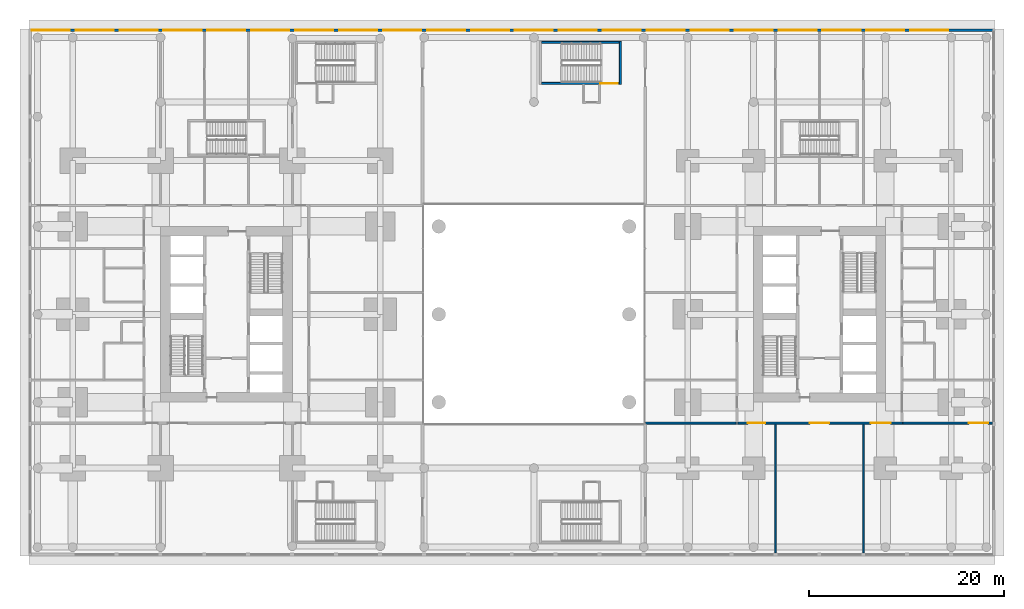
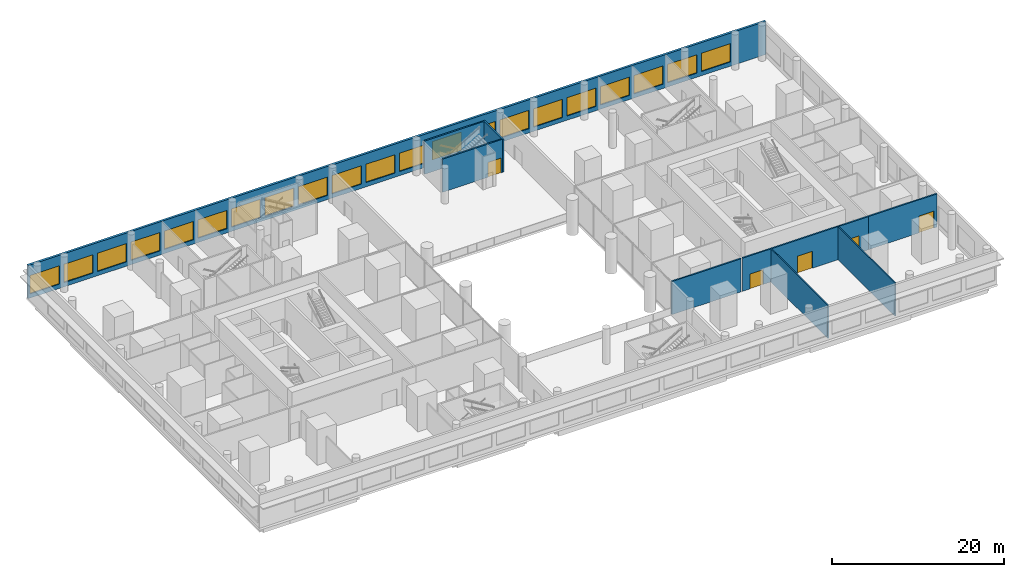
# One storey, part 14 of 21: 21 windows, 9 walls, 5 doors, 26 openings.
"""IFC4 building model written with IfcOpenShell, lengths in metres."""

import ifcopenshell
import ifcopenshell.guid

model = None  # the IFC model being written
_history = None  # IfcOwnerHistory: only IFC2X3 demands one
_inside = {}  # id of a spatial element -> (the spatial element, [elements in it])
_under = {}  # id of a project, library or spatial element -> (it, [spatial elements below it])
_declared = {}  # id of a project -> (the project, [libraries it declares])
_typed = {}  # id of a type object -> (the type object, [elements of that type])
_made_of = {}  # id of a material, layer set ... -> (it, [elements and type objects made of it])


def new_model(schema):
    """Start an empty IFC model of exactly this schema.

    Asked for "IFC4X3", IfcOpenShell would pick the latest addendum, in which some entities
    have other attributes; the version numbers below select the first issue.
    IFC2X3 requires an IfcOwnerHistory on every rooted entity: one is made here for all.
    """
    global model, _history
    if schema == "IFC4X3":
        model = ifcopenshell.file(schema_version=(4, 3, 0, 0))
    else:
        model = ifcopenshell.file(schema=schema)
    _inside.clear()
    _under.clear()
    _declared.clear()
    _typed.clear()
    _made_of.clear()
    _history = None
    if model.schema == "IFC2X3":
        org = make("IfcOrganization", Name="unknown")
        user = make(
            "IfcPersonAndOrganization",
            ThePerson=make("IfcPerson", FamilyName="unknown"),
            TheOrganization=org,
        )
        app = make(
            "IfcApplication",
            ApplicationDeveloper=org,
            Version="unknown",
            ApplicationFullName="unknown",
            ApplicationIdentifier="unknown",
        )
        _history = make(
            "IfcOwnerHistory",
            OwningUser=user,
            OwningApplication=app,
            ChangeAction="ADDED",
            CreationDate=0,
        )
    return model


def make(cls, **values):
    """One entity of the class cls with the attributes given. An attribute that is None is left unset."""
    return model.create_entity(
        cls, **{name: value for name, value in values.items() if value is not None}
    )


def rooted(cls, **values):
    """An entity with a GlobalId (a new one), such as an element, a storey or a relation."""
    return make(cls, GlobalId=ifcopenshell.guid.new(), OwnerHistory=_history, **values)


def si_unit(unit_type, name, prefix=None):
    """IfcSIUnit, for example si_unit("LENGTHUNIT", "METRE", prefix="MILLI")."""
    return make("IfcSIUnit", UnitType=unit_type, Prefix=prefix, Name=name)


def assignment(units):
    """IfcUnitAssignment: the units of a project."""
    return None if units is None else make("IfcUnitAssignment", Units=units)


def point(xyz):
    """IfcCartesianPoint."""
    return None if xyz is None else make("IfcCartesianPoint", Coordinates=xyz)


def direction(xyz):
    """IfcDirection."""
    return None if xyz is None else make("IfcDirection", DirectionRatios=xyz)


def frame(location, z_axis=None, x_axis=None):
    """IfcAxis2Placement3D, a coordinate frame: its origin and axes. An axis left out is left unset."""
    return make(
        "IfcAxis2Placement3D",
        Location=point(location),
        Axis=direction(z_axis),
        RefDirection=direction(x_axis),
    )


def frame_2d(location, x_axis=None):
    """IfcAxis2Placement2D, a coordinate frame in the plane: its origin and x axis."""
    return make(
        "IfcAxis2Placement2D", Location=point(location), RefDirection=direction(x_axis)
    )


def origin():
    """The frame at (0, 0, 0) with its axes left unset."""
    return frame((0.0, 0.0, 0.0))


def place(relative_to, where):
    """IfcLocalPlacement: puts the frame where relative to a parent placement (None: the world)."""
    return make(
        "IfcLocalPlacement", PlacementRelTo=relative_to, RelativePlacement=where
    )


def context(
    kind, dimensions, precision=None, world=None, true_north=None, identifier=None
):
    """IfcGeometricRepresentationContext, for example the 3D "Model" context."""
    return make(
        "IfcGeometricRepresentationContext",
        ContextIdentifier=identifier,
        ContextType=kind,
        CoordinateSpaceDimension=dimensions,
        Precision=precision,
        WorldCoordinateSystem=world,
        TrueNorth=true_north,
    )


def subcontext(parent, identifier, kind, view, scale=None):
    """IfcGeometricRepresentationSubContext, for example "Body" below "Model"."""
    return make(
        "IfcGeometricRepresentationSubContext",
        ContextIdentifier=identifier,
        ContextType=kind,
        ParentContext=parent,
        TargetScale=scale,
        TargetView=view,
    )


def project(units=None, contexts=None):
    """IfcProject with its units and contexts."""
    return rooted(
        "IfcProject",
        Name="project",
        RepresentationContexts=contexts,
        UnitsInContext=assignment(units),
    )


def spatial(cls, under=None, at=None, **own):
    """A site, building, storey or space (cls), placed at a placement, below another one or the project."""
    s = rooted(cls, ObjectPlacement=at, **own)
    if under is not None:
        _under.setdefault(under.id(), (under, []))[1].append(s)
    return s


def profile(cls, at=None, kind="AREA", **sizes):
    """A parametric profile (cls). Its sizes go by their IFC names, for example OverallWidth=200.0."""
    return make(cls, ProfileType=kind, Position=at, **sizes)


def rectangle(**sizes):
    """IfcRectangleProfileDef."""
    return profile("IfcRectangleProfileDef", **sizes)


def extrude(swept, where, along, depth):
    """IfcExtrudedAreaSolid: the profile swept, set in the frame where, extruded along a direction by depth."""
    return make(
        "IfcExtrudedAreaSolid",
        SweptArea=swept,
        Position=where,
        ExtrudedDirection=direction(along),
        Depth=depth,
    )


def shape(context_of_items, identifier, shape_type, items):
    """IfcShapeRepresentation: the items that make up one representation, for example the "Body"."""
    return make(
        "IfcShapeRepresentation",
        ContextOfItems=context_of_items,
        RepresentationIdentifier=identifier,
        RepresentationType=shape_type,
        Items=items,
    )


def material(Name=None, Category=None):
    """IfcMaterial."""
    return make("IfcMaterial", Name=Name, Category=Category)


def layer(
    of_material, thickness, ventilated=None, Name=None, Category=None, Priority=None
):
    """IfcMaterialLayer: one layer of a wall or slab, of a material (None: an air gap)."""
    return make(
        "IfcMaterialLayer",
        Material=of_material,
        LayerThickness=thickness,
        IsVentilated=ventilated,
        Name=Name,
        Category=Category,
        Priority=Priority,
    )


def layer_set(layers, Name=None):
    """IfcMaterialLayerSet."""
    return make("IfcMaterialLayerSet", MaterialLayers=layers, LayerSetName=Name)


def made_of(thing, what):
    """Note that an element or type object is made of a material, layer set ...; save() writes the relation."""
    if what is not None:
        _made_of.setdefault(what.id(), (what, []))[1].append(thing)
    return thing


def type_object(cls, material=None, **own):
    """A type object (cls), such as IfcWallType, which elements share."""
    return made_of(rooted(cls, **own), material)


def element(
    cls,
    number,
    at=None,
    inside=None,
    cuts=None,
    type_object=None,
    material=None,
    context=None,
    identifier="Body",
    shape_type=None,
    held_by="IfcProductDefinitionShape",
    body=None,
    shapes=None,
    **own,
):
    """One element of the class cls, such as IfcWall. Its Tag is "e" and its number.

    at: its placement. inside: the storey or other place that contains it. cuts: it is an
    opening in that element (IfcRelVoidsElement). A single representation is given by context,
    identifier, shape_type and body (its items); several are given by shapes. held_by: the class
    of the entity that holds the representations. save() writes the other relations.
    """
    e = rooted(cls, Tag="e%d" % number, ObjectPlacement=at, **own)
    if body is not None:
        shapes = [shape(context, identifier, shape_type, body)]
    if shapes is not None:
        e.Representation = make(held_by, Representations=shapes)
    if inside is not None:
        _inside.setdefault(inside.id(), (inside, []))[1].append(e)
    if cuts is not None:
        rooted(
            "IfcRelVoidsElement", RelatingBuildingElement=cuts, RelatedOpeningElement=e
        )
    if type_object is not None:
        _typed.setdefault(type_object.id(), (type_object, []))[1].append(e)
    return made_of(e, material)


def fill(opening, filler):
    """IfcRelFillsElement: the door or window that sits in an opening."""
    return rooted(
        "IfcRelFillsElement",
        RelatingOpeningElement=opening,
        RelatedBuildingElement=filler,
    )


def aggregate(whole, parts):
    """IfcRelAggregates: a whole, such as a stair, and the parts it consists of."""
    return rooted("IfcRelAggregates", RelatingObject=whole, RelatedObjects=parts)


def save(model, path):
    """Write the relations noted so far, then the file.

    IfcRelAggregates (storeys below a building ...), IfcRelContainedInSpatialStructure (elements
    in a storey), IfcRelDefinesByType, IfcRelAssociatesMaterial and IfcRelDeclares: one each for
    every whole, place, type object, material and project.
    """
    for whole, parts in _under.values():
        aggregate(whole, parts)
    for where, things in _inside.values():
        rooted(
            "IfcRelContainedInSpatialStructure",
            RelatedElements=things,
            RelatingStructure=where,
        )
    for kind, things in _typed.values():
        rooted("IfcRelDefinesByType", RelatedObjects=things, RelatingType=kind)
    for what, things in _made_of.values():
        rooted("IfcRelAssociatesMaterial", RelatedObjects=things, RelatingMaterial=what)
    for by, libraries in _declared.values():
        rooted("IfcRelDeclares", RelatingContext=by, RelatedDefinitions=libraries)
    model.write(path)


model = new_model("IFC4")

# Units and contexts
model_context = context("Model", 3, precision=1e-05, world=origin(), true_north=direction((0.0, 1.0)))
body_context = subcontext(model_context, "Body", "Model", "MODEL_VIEW")
ifc_project = project(units=[si_unit("LENGTHUNIT", "METRE"), si_unit("AREAUNIT", "SQUARE_METRE"), si_unit("VOLUMEUNIT", "CUBIC_METRE"), si_unit("PLANEANGLEUNIT", "RADIAN"), si_unit("MASSUNIT", "GRAM", prefix="KILO")], contexts=[model_context])

# Site, building, storey
site_placement = place(None, origin())
site = spatial("IfcSite", under=ifc_project, at=site_placement, CompositionType="ELEMENT")
building_placement = place(site_placement, origin())
building = spatial("IfcBuilding", under=site, at=building_placement, Name="Namib Vertical Campus", CompositionType="ELEMENT")
storey_placement = place(building_placement, frame((0.0, 0.0, 6.0)))
storey = spatial("IfcBuildingStorey", under=building, at=storey_placement, Name="L01", CompositionType="ELEMENT", Elevation=6.0)

# Wall, openings, doors
ifc_material_1 = material(Name="Concrete masonry", Category="masonry")
ifc_layer_1 = layer(ifc_material_1, 0.199951171875)
ifc_layer_set_1 = layer_set([ifc_layer_1], Name="Corridor wall 200")
wall_type_1 = type_object("IfcWallType", Name="Corridor wall 200", PredefinedType="SOLIDWALL", material=ifc_layer_set_1)
wall_1_placement = place(storey_placement, frame((72.64990234375, 9.10009765625, 0.0), z_axis=(0.0, 0.0, 1.0), x_axis=(1.0, 0.0, 0.0)))
wall_1 = element("IfcWall", 1, at=wall_1_placement, inside=storey, type_object=wall_type_1, Name="Corridor wall B L01 CS", PredefinedType="SOLIDWALL", context=body_context, shape_type="SweptSolid", body=[
    extrude(rectangle(XDim=16.900146484375, YDim=0.199951171875, at=frame_2d((8.4501953125, 0.0))), origin(), (0.0, 0.0, 1.0), 4.699951171875),
])
opening_1_placement = place(wall_1_placement, frame((0.97509765625, 0.0, 0.0)))
opening_1 = element("IfcOpeningElement", 2, at=opening_1_placement, cuts=wall_1, Name="Opening CD2", PredefinedType="OPENING", context=body_context, shape_type="SweptSolid", body=[
    extrude(rectangle(XDim=1.800048828125, YDim=2.10009765625, at=frame_2d((0.89990234375, 1.050048828125))), frame((0.0, 0.10986328125, 0.0), z_axis=(0.0, -1.0, 0.0), x_axis=(1.0, 0.0, 0.0)), (0.0, 0.0, 1.0), 0.219970703125),
])
opening_2_placement = place(wall_1_placement, frame((7.35009765625, 0.0, 0.0)))
opening_2 = element("IfcOpeningElement", 3, at=opening_2_placement, cuts=wall_1, Name="Opening AD1", PredefinedType="OPENING", context=body_context, shape_type="SweptSolid", body=[
    extrude(rectangle(XDim=2.0, YDim=2.39990234375, at=frame_2d((1.0, 1.199951171875))), frame((0.0, 0.10986328125, 0.0), z_axis=(0.0, -1.0, 0.0), x_axis=(1.0, 0.0, 0.0)), (0.0, 0.0, 1.0), 0.219970703125),
])
opening_3_placement = place(wall_1_placement, frame((13.625, 0.0, 0.0)))
opening_3 = element("IfcOpeningElement", 4, at=opening_3_placement, cuts=wall_1, Name="Opening AD1", PredefinedType="OPENING", context=body_context, shape_type="SweptSolid", body=[
    extrude(rectangle(XDim=2.0, YDim=2.39990234375, at=frame_2d((1.0, 1.199951171875))), frame((0.0, 0.10986328125, 0.0), z_axis=(0.0, -1.0, 0.0), x_axis=(1.0, 0.0, 0.0)), (0.0, 0.0, 1.0), 0.219970703125),
])
ifc_material_2 = material(Name="Timber fire door leaf", Category="wood")
door_type_1 = type_object("IfcDoorType", Name="Corridor door double 1800x2100 20 min", OperationType="DOUBLE_DOOR_SINGLE_SWING", PredefinedType="DOOR", material=ifc_material_2)
door_1_placement = place(opening_1_placement, origin())
door_1 = element("IfcDoor", 5, at=door_1_placement, inside=storey, type_object=door_type_1, Name="Door CD2 B01-01", OperationType="DOUBLE_DOOR_SINGLE_SWING", OverallHeight=2.10009765625, OverallWidth=1.800048828125, PredefinedType="DOOR", context=body_context, shape_type="SweptSolid", body=[
    extrude(rectangle(XDim=1.800048828125, YDim=2.10009765625, at=frame_2d((0.89990234375, 1.050048828125))), frame((0.0, 0.02490234375, 0.0), z_axis=(0.0, -1.0, 0.0), x_axis=(1.0, 0.0, 0.0)), (0.0, 0.0, 1.0), 0.050048828125),
])
fill(opening_1, door_1)
ifc_material_3 = material(Name="Timber acoustic fire door leaf", Category="wood")
door_type_2 = type_object("IfcDoorType", Name="Lecture theatre door pair 2000x2400 acoustic", OperationType="DOUBLE_DOOR_SINGLE_SWING", PredefinedType="DOOR", material=ifc_material_3)
door_2_placement = place(opening_2_placement, frame((2.0, 0.0, 0.0), z_axis=(0.0, 0.0, 1.0), x_axis=(-1.0, 0.0, 0.0)))
door_2 = element("IfcDoor", 6, at=door_2_placement, inside=storey, type_object=door_type_2, Name="Door AD1 B01-02", OperationType="DOUBLE_DOOR_SINGLE_SWING", OverallHeight=2.39990234375, OverallWidth=2.0, PredefinedType="DOOR", context=body_context, shape_type="SweptSolid", body=[
    extrude(rectangle(XDim=2.0, YDim=2.39990234375, at=frame_2d((1.0, 1.199951171875))), frame((0.0, 0.02490234375, 0.0), z_axis=(0.0, -1.0, 0.0), x_axis=(1.0, 0.0, 0.0)), (0.0, 0.0, 1.0), 0.050048828125),
])
fill(opening_2, door_2)
door_3_placement = place(opening_3_placement, origin())
door_3 = element("IfcDoor", 7, at=door_3_placement, inside=storey, type_object=door_type_2, Name="Door AD1 B01-03", OperationType="DOUBLE_DOOR_SINGLE_SWING", OverallHeight=2.39990234375, OverallWidth=2.0, PredefinedType="DOOR", context=body_context, shape_type="SweptSolid", body=[
    extrude(rectangle(XDim=2.0, YDim=2.39990234375, at=frame_2d((1.0, 1.199951171875))), frame((0.0, 0.02490234375, 0.0), z_axis=(0.0, -1.0, 0.0), x_axis=(1.0, 0.0, 0.0)), (0.0, 0.0, 1.0), 0.050048828125),
])
fill(opening_3, door_3)

# Wall
wall_2_placement = place(storey_placement, frame((63.179931640625, 9.10009765625, 0.0), z_axis=(0.0, 0.0, 1.0), x_axis=(1.0, 0.0, 0.0)))
element("IfcWall", 8, at=wall_2_placement, inside=storey, type_object=wall_type_1, Name="Partition B L01 BSW", PredefinedType="SOLIDWALL", context=body_context, shape_type="SweptSolid", body=[
    extrude(rectangle(XDim=9.27001953125, YDim=0.199951171875, at=frame_2d((4.635009765625, 0.0))), origin(), (0.0, 0.0, 1.0), 4.699951171875),
])

# Wall, opening, door
wall_3_placement = place(storey_placement, frame((89.550048828125, 9.10009765625, 0.0), z_axis=(0.0, 0.0, 1.0), x_axis=(1.0, 0.0, 0.0)))
wall_3 = element("IfcWall", 9, at=wall_3_placement, inside=storey, type_object=wall_type_1, Name="Partition B L01 BSE", PredefinedType="SOLIDWALL", context=body_context, shape_type="SweptSolid", body=[
    extrude(rectangle(XDim=9.14990234375, YDim=0.199951171875, at=frame_2d((4.574951171875, 0.0))), origin(), (0.0, 0.0, 1.0), 4.699951171875),
])
opening_4_placement = place(wall_3_placement, frame((6.75, 0.0, 0.0)))
opening_4 = element("IfcOpeningElement", 10, at=opening_4_placement, cuts=wall_3, Name="Opening AD1", PredefinedType="OPENING", context=body_context, shape_type="SweptSolid", body=[
    extrude(rectangle(XDim=2.0, YDim=2.39990234375, at=frame_2d((1.0, 1.199951171875))), frame((0.0, 0.10986328125, 0.0), z_axis=(0.0, -1.0, 0.0), x_axis=(1.0, 0.0, 0.0)), (0.0, 0.0, 1.0), 0.219970703125),
])
door_4_placement = place(opening_4_placement, origin())
door_4 = element("IfcDoor", 11, at=door_4_placement, inside=storey, type_object=door_type_2, Name="Door AD1 B01-03 to the foyer", OperationType="DOUBLE_DOOR_SINGLE_SWING", OverallHeight=2.39990234375, OverallWidth=2.0, PredefinedType="DOOR", context=body_context, shape_type="SweptSolid", body=[
    extrude(rectangle(XDim=2.0, YDim=2.39990234375, at=frame_2d((1.0, 1.199951171875))), frame((0.0, 0.02490234375, 0.0), z_axis=(0.0, -1.0, 0.0), x_axis=(1.0, 0.0, 0.0)), (0.0, 0.0, 1.0), 0.050048828125),
])
fill(opening_4, door_4)

# Wall, openings, windows
ifc_material_4 = material(Name="Concrete C40/50", Category="concrete")
ifc_layer_2 = layer(ifc_material_4, 0.300048828125)
ifc_layer_set_2 = layer_set([ifc_layer_2], Name="Concrete C40/50")
wall_type_2 = type_object("IfcWallType", Name="External wall 300 board-marked concrete", PredefinedType="STANDARD", material=ifc_layer_set_2)
wall_4_placement = place(storey_placement, frame((98.97998046875, 49.35009765625, 0.0), z_axis=(0.0, 0.0, 1.0), x_axis=(-1.0, 0.0, 0.0)))
wall_4 = element("IfcWall", 12, at=wall_4_placement, inside=storey, type_object=wall_type_2, Name="External wall L01 F3", PredefinedType="STANDARD", context=body_context, shape_type="SweptSolid", body=[
    extrude(rectangle(XDim=98.9599609375, YDim=0.300048828125, at=frame_2d((49.47998046875, 0.0))), origin(), (0.0, 0.0, 1.0), 4.699951171875),
])
opening_5_placement = place(wall_4_placement, frame((94.780029296875, 0.0, 0.60009765625)))
opening_5 = element("IfcOpeningElement", 13, at=opening_5_placement, cuts=wall_4, Name="Opening W2", PredefinedType="OPENING", context=body_context, shape_type="SweptSolid", body=[
    extrude(rectangle(XDim=3.89990234375, YDim=2.60009765625, at=frame_2d((1.949951171875, 1.300048828125))), frame((0.0, 0.159912109375, 0.0), z_axis=(0.0, -1.0, 0.0), x_axis=(1.0, 0.0, 0.0)), (0.0, 0.0, 1.0), 0.320068359375),
])
opening_6_placement = place(wall_4_placement, frame((90.280029296875, 0.0, 0.60009765625)))
opening_6 = element("IfcOpeningElement", 14, at=opening_6_placement, cuts=wall_4, Name="Opening W2", PredefinedType="OPENING", context=body_context, shape_type="SweptSolid", body=[
    extrude(rectangle(XDim=3.89990234375, YDim=2.60009765625, at=frame_2d((1.949951171875, 1.300048828125))), frame((0.0, 0.159912109375, 0.0), z_axis=(0.0, -1.0, 0.0), x_axis=(1.0, 0.0, 0.0)), (0.0, 0.0, 1.0), 0.320068359375),
])
opening_7_placement = place(wall_4_placement, frame((85.780029296875, 0.0, 0.60009765625)))
opening_7 = element("IfcOpeningElement", 15, at=opening_7_placement, cuts=wall_4, Name="Opening W2", PredefinedType="OPENING", context=body_context, shape_type="SweptSolid", body=[
    extrude(rectangle(XDim=3.89990234375, YDim=2.60009765625, at=frame_2d((1.949951171875, 1.300048828125))), frame((0.0, 0.159912109375, 0.0), z_axis=(0.0, -1.0, 0.0), x_axis=(1.0, 0.0, 0.0)), (0.0, 0.0, 1.0), 0.320068359375),
])
opening_8_placement = place(wall_4_placement, frame((81.280029296875, 0.0, 0.60009765625)))
opening_8 = element("IfcOpeningElement", 16, at=opening_8_placement, cuts=wall_4, Name="Opening W2", PredefinedType="OPENING", context=body_context, shape_type="SweptSolid", body=[
    extrude(rectangle(XDim=3.89990234375, YDim=2.60009765625, at=frame_2d((1.949951171875, 1.300048828125))), frame((0.0, 0.159912109375, 0.0), z_axis=(0.0, -1.0, 0.0), x_axis=(1.0, 0.0, 0.0)), (0.0, 0.0, 1.0), 0.320068359375),
])
opening_9_placement = place(wall_4_placement, frame((76.780029296875, 0.0, 0.60009765625)))
opening_9 = element("IfcOpeningElement", 17, at=opening_9_placement, cuts=wall_4, Name="Opening W2", PredefinedType="OPENING", context=body_context, shape_type="SweptSolid", body=[
    extrude(rectangle(XDim=3.89990234375, YDim=2.60009765625, at=frame_2d((1.949951171875, 1.300048828125))), frame((0.0, 0.159912109375, 0.0), z_axis=(0.0, -1.0, 0.0), x_axis=(1.0, 0.0, 0.0)), (0.0, 0.0, 1.0), 0.320068359375),
])
opening_10_placement = place(wall_4_placement, frame((72.280029296875, 0.0, 0.60009765625)))
opening_10 = element("IfcOpeningElement", 18, at=opening_10_placement, cuts=wall_4, Name="Opening W2", PredefinedType="OPENING", context=body_context, shape_type="SweptSolid", body=[
    extrude(rectangle(XDim=3.89990234375, YDim=2.60009765625, at=frame_2d((1.949951171875, 1.300048828125))), frame((0.0, 0.159912109375, 0.0), z_axis=(0.0, -1.0, 0.0), x_axis=(1.0, 0.0, 0.0)), (0.0, 0.0, 1.0), 0.320068359375),
])
opening_11_placement = place(wall_4_placement, frame((67.780029296875, 0.0, 0.60009765625)))
opening_11 = element("IfcOpeningElement", 19, at=opening_11_placement, cuts=wall_4, Name="Opening W2", PredefinedType="OPENING", context=body_context, shape_type="SweptSolid", body=[
    extrude(rectangle(XDim=3.89990234375, YDim=2.60009765625, at=frame_2d((1.949951171875, 1.300048828125))), frame((0.0, 0.159912109375, 0.0), z_axis=(0.0, -1.0, 0.0), x_axis=(1.0, 0.0, 0.0)), (0.0, 0.0, 1.0), 0.320068359375),
])
opening_12_placement = place(wall_4_placement, frame((63.280029296875, 0.0, 0.60009765625)))
opening_12 = element("IfcOpeningElement", 20, at=opening_12_placement, cuts=wall_4, Name="Opening W2", PredefinedType="OPENING", context=body_context, shape_type="SweptSolid", body=[
    extrude(rectangle(XDim=3.89990234375, YDim=2.60009765625, at=frame_2d((1.949951171875, 1.300048828125))), frame((0.0, 0.159912109375, 0.0), z_axis=(0.0, -1.0, 0.0), x_axis=(1.0, 0.0, 0.0)), (0.0, 0.0, 1.0), 0.320068359375),
])
opening_13_placement = place(wall_4_placement, frame((58.780029296875, 0.0, 0.60009765625)))
opening_13 = element("IfcOpeningElement", 21, at=opening_13_placement, cuts=wall_4, Name="Opening W2", PredefinedType="OPENING", context=body_context, shape_type="SweptSolid", body=[
    extrude(rectangle(XDim=3.89990234375, YDim=2.60009765625, at=frame_2d((1.949951171875, 1.300048828125))), frame((0.0, 0.159912109375, 0.0), z_axis=(0.0, -1.0, 0.0), x_axis=(1.0, 0.0, 0.0)), (0.0, 0.0, 1.0), 0.320068359375),
])
opening_14_placement = place(wall_4_placement, frame((54.280029296875, 0.0, 0.60009765625)))
opening_14 = element("IfcOpeningElement", 22, at=opening_14_placement, cuts=wall_4, Name="Opening W2", PredefinedType="OPENING", context=body_context, shape_type="SweptSolid", body=[
    extrude(rectangle(XDim=3.89990234375, YDim=2.60009765625, at=frame_2d((1.949951171875, 1.300048828125))), frame((0.0, 0.159912109375, 0.0), z_axis=(0.0, -1.0, 0.0), x_axis=(1.0, 0.0, 0.0)), (0.0, 0.0, 1.0), 0.320068359375),
])
opening_15_placement = place(wall_4_placement, frame((49.780029296875, 0.0, 0.60009765625)))
opening_15 = element("IfcOpeningElement", 23, at=opening_15_placement, cuts=wall_4, Name="Opening W2", PredefinedType="OPENING", context=body_context, shape_type="SweptSolid", body=[
    extrude(rectangle(XDim=3.89990234375, YDim=2.60009765625, at=frame_2d((1.949951171875, 1.300048828125))), frame((0.0, 0.159912109375, 0.0), z_axis=(0.0, -1.0, 0.0), x_axis=(1.0, 0.0, 0.0)), (0.0, 0.0, 1.0), 0.320068359375),
])
opening_16_placement = place(wall_4_placement, frame((45.280029296875, 0.0, 0.60009765625)))
opening_16 = element("IfcOpeningElement", 24, at=opening_16_placement, cuts=wall_4, Name="Opening W2", PredefinedType="OPENING", context=body_context, shape_type="SweptSolid", body=[
    extrude(rectangle(XDim=3.89990234375, YDim=2.60009765625, at=frame_2d((1.949951171875, 1.300048828125))), frame((0.0, 0.159912109375, 0.0), z_axis=(0.0, -1.0, 0.0), x_axis=(1.0, 0.0, 0.0)), (0.0, 0.0, 1.0), 0.320068359375),
])
opening_17_placement = place(wall_4_placement, frame((40.780029296875, 0.0, 0.60009765625)))
opening_17 = element("IfcOpeningElement", 25, at=opening_17_placement, cuts=wall_4, Name="Opening W2", PredefinedType="OPENING", context=body_context, shape_type="SweptSolid", body=[
    extrude(rectangle(XDim=3.89990234375, YDim=2.60009765625, at=frame_2d((1.949951171875, 1.300048828125))), frame((0.0, 0.159912109375, 0.0), z_axis=(0.0, -1.0, 0.0), x_axis=(1.0, 0.0, 0.0)), (0.0, 0.0, 1.0), 0.320068359375),
])
opening_18_placement = place(wall_4_placement, frame((36.280029296875, 0.0, 0.60009765625)))
opening_18 = element("IfcOpeningElement", 26, at=opening_18_placement, cuts=wall_4, Name="Opening W2", PredefinedType="OPENING", context=body_context, shape_type="SweptSolid", body=[
    extrude(rectangle(XDim=3.89990234375, YDim=2.60009765625, at=frame_2d((1.949951171875, 1.300048828125))), frame((0.0, 0.159912109375, 0.0), z_axis=(0.0, -1.0, 0.0), x_axis=(1.0, 0.0, 0.0)), (0.0, 0.0, 1.0), 0.320068359375),
])
opening_19_placement = place(wall_4_placement, frame((31.780029296875, 0.0, 0.60009765625)))
opening_19 = element("IfcOpeningElement", 27, at=opening_19_placement, cuts=wall_4, Name="Opening W2", PredefinedType="OPENING", context=body_context, shape_type="SweptSolid", body=[
    extrude(rectangle(XDim=3.89990234375, YDim=2.60009765625, at=frame_2d((1.949951171875, 1.300048828125))), frame((0.0, 0.159912109375, 0.0), z_axis=(0.0, -1.0, 0.0), x_axis=(1.0, 0.0, 0.0)), (0.0, 0.0, 1.0), 0.320068359375),
])
opening_20_placement = place(wall_4_placement, frame((27.280029296875, 0.0, 0.60009765625)))
opening_20 = element("IfcOpeningElement", 28, at=opening_20_placement, cuts=wall_4, Name="Opening W2", PredefinedType="OPENING", context=body_context, shape_type="SweptSolid", body=[
    extrude(rectangle(XDim=3.89990234375, YDim=2.60009765625, at=frame_2d((1.949951171875, 1.300048828125))), frame((0.0, 0.159912109375, 0.0), z_axis=(0.0, -1.0, 0.0), x_axis=(1.0, 0.0, 0.0)), (0.0, 0.0, 1.0), 0.320068359375),
])
opening_21_placement = place(wall_4_placement, frame((22.780029296875, 0.0, 0.60009765625)))
opening_21 = element("IfcOpeningElement", 29, at=opening_21_placement, cuts=wall_4, Name="Opening W2", PredefinedType="OPENING", context=body_context, shape_type="SweptSolid", body=[
    extrude(rectangle(XDim=3.89990234375, YDim=2.60009765625, at=frame_2d((1.949951171875, 1.300048828125))), frame((0.0, 0.159912109375, 0.0), z_axis=(0.0, -1.0, 0.0), x_axis=(1.0, 0.0, 0.0)), (0.0, 0.0, 1.0), 0.320068359375),
])
opening_22_placement = place(wall_4_placement, frame((18.280029296875, 0.0, 0.60009765625)))
opening_22 = element("IfcOpeningElement", 30, at=opening_22_placement, cuts=wall_4, Name="Opening W2", PredefinedType="OPENING", context=body_context, shape_type="SweptSolid", body=[
    extrude(rectangle(XDim=3.89990234375, YDim=2.60009765625, at=frame_2d((1.949951171875, 1.300048828125))), frame((0.0, 0.159912109375, 0.0), z_axis=(0.0, -1.0, 0.0), x_axis=(1.0, 0.0, 0.0)), (0.0, 0.0, 1.0), 0.320068359375),
])
opening_23_placement = place(wall_4_placement, frame((13.780029296875, 0.0, 0.60009765625)))
opening_23 = element("IfcOpeningElement", 31, at=opening_23_placement, cuts=wall_4, Name="Opening W2", PredefinedType="OPENING", context=body_context, shape_type="SweptSolid", body=[
    extrude(rectangle(XDim=3.89990234375, YDim=2.60009765625, at=frame_2d((1.949951171875, 1.300048828125))), frame((0.0, 0.159912109375, 0.0), z_axis=(0.0, -1.0, 0.0), x_axis=(1.0, 0.0, 0.0)), (0.0, 0.0, 1.0), 0.320068359375),
])
opening_24_placement = place(wall_4_placement, frame((9.280029296875, 0.0, 0.60009765625)))
opening_24 = element("IfcOpeningElement", 32, at=opening_24_placement, cuts=wall_4, Name="Opening W2", PredefinedType="OPENING", context=body_context, shape_type="SweptSolid", body=[
    extrude(rectangle(XDim=3.89990234375, YDim=2.60009765625, at=frame_2d((1.949951171875, 1.300048828125))), frame((0.0, 0.159912109375, 0.0), z_axis=(0.0, -1.0, 0.0), x_axis=(1.0, 0.0, 0.0)), (0.0, 0.0, 1.0), 0.320068359375),
])
opening_25_placement = place(wall_4_placement, frame((4.780029296875, 0.0, 0.60009765625)))
opening_25 = element("IfcOpeningElement", 33, at=opening_25_placement, cuts=wall_4, Name="Opening W2", PredefinedType="OPENING", context=body_context, shape_type="SweptSolid", body=[
    extrude(rectangle(XDim=3.89990234375, YDim=2.60009765625, at=frame_2d((1.949951171875, 1.300048828125))), frame((0.0, 0.159912109375, 0.0), z_axis=(0.0, -1.0, 0.0), x_axis=(1.0, 0.0, 0.0)), (0.0, 0.0, 1.0), 0.320068359375),
])
ifc_material_5 = material(Name="Dark tinted glass in black aluminium frame", Category="aluminium")
window_type = type_object("IfcWindowType", Name="Ribbon window 3900x2600", PartitioningType="SINGLE_PANEL", PredefinedType="WINDOW", material=ifc_material_5)
window_1_placement = place(opening_5_placement, origin())
window_1 = element("IfcWindow", 34, at=window_1_placement, inside=storey, type_object=window_type, Name="Window W2 L01 F3-1", OverallHeight=2.60009765625, OverallWidth=3.89990234375, PartitioningType="SINGLE_PANEL", PredefinedType="WINDOW", context=body_context, shape_type="SweptSolid", body=[
    extrude(rectangle(XDim=3.89990234375, YDim=2.60009765625, at=frame_2d((1.949951171875, 1.300048828125))), frame((0.0, 0.030029296875, 0.0), z_axis=(0.0, -1.0, 0.0), x_axis=(1.0, 0.0, 0.0)), (0.0, 0.0, 1.0), 0.06005859375),
])
fill(opening_5, window_1)
window_2_placement = place(opening_6_placement, origin())
window_2 = element("IfcWindow", 35, at=window_2_placement, inside=storey, type_object=window_type, Name="Window W2 L01 F3-2", OverallHeight=2.60009765625, OverallWidth=3.89990234375, PartitioningType="SINGLE_PANEL", PredefinedType="WINDOW", context=body_context, shape_type="SweptSolid", body=[
    extrude(rectangle(XDim=3.89990234375, YDim=2.60009765625, at=frame_2d((1.949951171875, 1.300048828125))), frame((0.0, 0.030029296875, 0.0), z_axis=(0.0, -1.0, 0.0), x_axis=(1.0, 0.0, 0.0)), (0.0, 0.0, 1.0), 0.06005859375),
])
fill(opening_6, window_2)
window_3_placement = place(opening_7_placement, origin())
window_3 = element("IfcWindow", 36, at=window_3_placement, inside=storey, type_object=window_type, Name="Window W2 L01 F3-3", OverallHeight=2.60009765625, OverallWidth=3.89990234375, PartitioningType="SINGLE_PANEL", PredefinedType="WINDOW", context=body_context, shape_type="SweptSolid", body=[
    extrude(rectangle(XDim=3.89990234375, YDim=2.60009765625, at=frame_2d((1.949951171875, 1.300048828125))), frame((0.0, 0.030029296875, 0.0), z_axis=(0.0, -1.0, 0.0), x_axis=(1.0, 0.0, 0.0)), (0.0, 0.0, 1.0), 0.06005859375),
])
fill(opening_7, window_3)
window_4_placement = place(opening_8_placement, origin())
window_4 = element("IfcWindow", 37, at=window_4_placement, inside=storey, type_object=window_type, Name="Window W2 L01 F3-4", OverallHeight=2.60009765625, OverallWidth=3.89990234375, PartitioningType="SINGLE_PANEL", PredefinedType="WINDOW", context=body_context, shape_type="SweptSolid", body=[
    extrude(rectangle(XDim=3.89990234375, YDim=2.60009765625, at=frame_2d((1.949951171875, 1.300048828125))), frame((0.0, 0.030029296875, 0.0), z_axis=(0.0, -1.0, 0.0), x_axis=(1.0, 0.0, 0.0)), (0.0, 0.0, 1.0), 0.06005859375),
])
fill(opening_8, window_4)
window_5_placement = place(opening_9_placement, origin())
window_5 = element("IfcWindow", 38, at=window_5_placement, inside=storey, type_object=window_type, Name="Window W2 L01 F3-5", OverallHeight=2.60009765625, OverallWidth=3.89990234375, PartitioningType="SINGLE_PANEL", PredefinedType="WINDOW", context=body_context, shape_type="SweptSolid", body=[
    extrude(rectangle(XDim=3.89990234375, YDim=2.60009765625, at=frame_2d((1.949951171875, 1.300048828125))), frame((0.0, 0.030029296875, 0.0), z_axis=(0.0, -1.0, 0.0), x_axis=(1.0, 0.0, 0.0)), (0.0, 0.0, 1.0), 0.06005859375),
])
fill(opening_9, window_5)
window_6_placement = place(opening_10_placement, origin())
window_6 = element("IfcWindow", 39, at=window_6_placement, inside=storey, type_object=window_type, Name="Window W2 L01 F3-6", OverallHeight=2.60009765625, OverallWidth=3.89990234375, PartitioningType="SINGLE_PANEL", PredefinedType="WINDOW", context=body_context, shape_type="SweptSolid", body=[
    extrude(rectangle(XDim=3.89990234375, YDim=2.60009765625, at=frame_2d((1.949951171875, 1.300048828125))), frame((0.0, 0.030029296875, 0.0), z_axis=(0.0, -1.0, 0.0), x_axis=(1.0, 0.0, 0.0)), (0.0, 0.0, 1.0), 0.06005859375),
])
fill(opening_10, window_6)
window_7_placement = place(opening_11_placement, origin())
window_7 = element("IfcWindow", 40, at=window_7_placement, inside=storey, type_object=window_type, Name="Window W2 L01 F3-7", OverallHeight=2.60009765625, OverallWidth=3.89990234375, PartitioningType="SINGLE_PANEL", PredefinedType="WINDOW", context=body_context, shape_type="SweptSolid", body=[
    extrude(rectangle(XDim=3.89990234375, YDim=2.60009765625, at=frame_2d((1.949951171875, 1.300048828125))), frame((0.0, 0.030029296875, 0.0), z_axis=(0.0, -1.0, 0.0), x_axis=(1.0, 0.0, 0.0)), (0.0, 0.0, 1.0), 0.06005859375),
])
fill(opening_11, window_7)
window_8_placement = place(opening_12_placement, origin())
window_8 = element("IfcWindow", 41, at=window_8_placement, inside=storey, type_object=window_type, Name="Window W2 L01 F3-8", OverallHeight=2.60009765625, OverallWidth=3.89990234375, PartitioningType="SINGLE_PANEL", PredefinedType="WINDOW", context=body_context, shape_type="SweptSolid", body=[
    extrude(rectangle(XDim=3.89990234375, YDim=2.60009765625, at=frame_2d((1.949951171875, 1.300048828125))), frame((0.0, 0.030029296875, 0.0), z_axis=(0.0, -1.0, 0.0), x_axis=(1.0, 0.0, 0.0)), (0.0, 0.0, 1.0), 0.06005859375),
])
fill(opening_12, window_8)
window_9_placement = place(opening_13_placement, origin())
window_9 = element("IfcWindow", 42, at=window_9_placement, inside=storey, type_object=window_type, Name="Window W2 L01 F3-9", OverallHeight=2.60009765625, OverallWidth=3.89990234375, PartitioningType="SINGLE_PANEL", PredefinedType="WINDOW", context=body_context, shape_type="SweptSolid", body=[
    extrude(rectangle(XDim=3.89990234375, YDim=2.60009765625, at=frame_2d((1.949951171875, 1.300048828125))), frame((0.0, 0.030029296875, 0.0), z_axis=(0.0, -1.0, 0.0), x_axis=(1.0, 0.0, 0.0)), (0.0, 0.0, 1.0), 0.06005859375),
])
fill(opening_13, window_9)
window_10_placement = place(opening_14_placement, origin())
window_10 = element("IfcWindow", 43, at=window_10_placement, inside=storey, type_object=window_type, Name="Window W2 L01 F3-10", OverallHeight=2.60009765625, OverallWidth=3.89990234375, PartitioningType="SINGLE_PANEL", PredefinedType="WINDOW", context=body_context, shape_type="SweptSolid", body=[
    extrude(rectangle(XDim=3.89990234375, YDim=2.60009765625, at=frame_2d((1.949951171875, 1.300048828125))), frame((0.0, 0.030029296875, 0.0), z_axis=(0.0, -1.0, 0.0), x_axis=(1.0, 0.0, 0.0)), (0.0, 0.0, 1.0), 0.06005859375),
])
fill(opening_14, window_10)
window_11_placement = place(opening_15_placement, origin())
window_11 = element("IfcWindow", 44, at=window_11_placement, inside=storey, type_object=window_type, Name="Window W2 L01 F3-11", OverallHeight=2.60009765625, OverallWidth=3.89990234375, PartitioningType="SINGLE_PANEL", PredefinedType="WINDOW", context=body_context, shape_type="SweptSolid", body=[
    extrude(rectangle(XDim=3.89990234375, YDim=2.60009765625, at=frame_2d((1.949951171875, 1.300048828125))), frame((0.0, 0.030029296875, 0.0), z_axis=(0.0, -1.0, 0.0), x_axis=(1.0, 0.0, 0.0)), (0.0, 0.0, 1.0), 0.06005859375),
])
fill(opening_15, window_11)
window_12_placement = place(opening_16_placement, origin())
window_12 = element("IfcWindow", 45, at=window_12_placement, inside=storey, type_object=window_type, Name="Window W2 L01 F3-12", OverallHeight=2.60009765625, OverallWidth=3.89990234375, PartitioningType="SINGLE_PANEL", PredefinedType="WINDOW", context=body_context, shape_type="SweptSolid", body=[
    extrude(rectangle(XDim=3.89990234375, YDim=2.60009765625, at=frame_2d((1.949951171875, 1.300048828125))), frame((0.0, 0.030029296875, 0.0), z_axis=(0.0, -1.0, 0.0), x_axis=(1.0, 0.0, 0.0)), (0.0, 0.0, 1.0), 0.06005859375),
])
fill(opening_16, window_12)
window_13_placement = place(opening_17_placement, origin())
window_13 = element("IfcWindow", 46, at=window_13_placement, inside=storey, type_object=window_type, Name="Window W2 L01 F3-13", OverallHeight=2.60009765625, OverallWidth=3.89990234375, PartitioningType="SINGLE_PANEL", PredefinedType="WINDOW", context=body_context, shape_type="SweptSolid", body=[
    extrude(rectangle(XDim=3.89990234375, YDim=2.60009765625, at=frame_2d((1.949951171875, 1.300048828125))), frame((0.0, 0.030029296875, 0.0), z_axis=(0.0, -1.0, 0.0), x_axis=(1.0, 0.0, 0.0)), (0.0, 0.0, 1.0), 0.06005859375),
])
fill(opening_17, window_13)
window_14_placement = place(opening_18_placement, origin())
window_14 = element("IfcWindow", 47, at=window_14_placement, inside=storey, type_object=window_type, Name="Window W2 L01 F3-14", OverallHeight=2.60009765625, OverallWidth=3.89990234375, PartitioningType="SINGLE_PANEL", PredefinedType="WINDOW", context=body_context, shape_type="SweptSolid", body=[
    extrude(rectangle(XDim=3.89990234375, YDim=2.60009765625, at=frame_2d((1.949951171875, 1.300048828125))), frame((0.0, 0.030029296875, 0.0), z_axis=(0.0, -1.0, 0.0), x_axis=(1.0, 0.0, 0.0)), (0.0, 0.0, 1.0), 0.06005859375),
])
fill(opening_18, window_14)
window_15_placement = place(opening_19_placement, origin())
window_15 = element("IfcWindow", 48, at=window_15_placement, inside=storey, type_object=window_type, Name="Window W2 L01 F3-15", OverallHeight=2.60009765625, OverallWidth=3.89990234375, PartitioningType="SINGLE_PANEL", PredefinedType="WINDOW", context=body_context, shape_type="SweptSolid", body=[
    extrude(rectangle(XDim=3.89990234375, YDim=2.60009765625, at=frame_2d((1.949951171875, 1.300048828125))), frame((0.0, 0.030029296875, 0.0), z_axis=(0.0, -1.0, 0.0), x_axis=(1.0, 0.0, 0.0)), (0.0, 0.0, 1.0), 0.06005859375),
])
fill(opening_19, window_15)
window_16_placement = place(opening_20_placement, origin())
window_16 = element("IfcWindow", 49, at=window_16_placement, inside=storey, type_object=window_type, Name="Window W2 L01 F3-16", OverallHeight=2.60009765625, OverallWidth=3.89990234375, PartitioningType="SINGLE_PANEL", PredefinedType="WINDOW", context=body_context, shape_type="SweptSolid", body=[
    extrude(rectangle(XDim=3.89990234375, YDim=2.60009765625, at=frame_2d((1.949951171875, 1.300048828125))), frame((0.0, 0.030029296875, 0.0), z_axis=(0.0, -1.0, 0.0), x_axis=(1.0, 0.0, 0.0)), (0.0, 0.0, 1.0), 0.06005859375),
])
fill(opening_20, window_16)
window_17_placement = place(opening_21_placement, origin())
window_17 = element("IfcWindow", 50, at=window_17_placement, inside=storey, type_object=window_type, Name="Window W2 L01 F3-17", OverallHeight=2.60009765625, OverallWidth=3.89990234375, PartitioningType="SINGLE_PANEL", PredefinedType="WINDOW", context=body_context, shape_type="SweptSolid", body=[
    extrude(rectangle(XDim=3.89990234375, YDim=2.60009765625, at=frame_2d((1.949951171875, 1.300048828125))), frame((0.0, 0.030029296875, 0.0), z_axis=(0.0, -1.0, 0.0), x_axis=(1.0, 0.0, 0.0)), (0.0, 0.0, 1.0), 0.06005859375),
])
fill(opening_21, window_17)
window_18_placement = place(opening_22_placement, origin())
window_18 = element("IfcWindow", 51, at=window_18_placement, inside=storey, type_object=window_type, Name="Window W2 L01 F3-18", OverallHeight=2.60009765625, OverallWidth=3.89990234375, PartitioningType="SINGLE_PANEL", PredefinedType="WINDOW", context=body_context, shape_type="SweptSolid", body=[
    extrude(rectangle(XDim=3.89990234375, YDim=2.60009765625, at=frame_2d((1.949951171875, 1.300048828125))), frame((0.0, 0.030029296875, 0.0), z_axis=(0.0, -1.0, 0.0), x_axis=(1.0, 0.0, 0.0)), (0.0, 0.0, 1.0), 0.06005859375),
])
fill(opening_22, window_18)
window_19_placement = place(opening_23_placement, origin())
window_19 = element("IfcWindow", 52, at=window_19_placement, inside=storey, type_object=window_type, Name="Window W2 L01 F3-19", OverallHeight=2.60009765625, OverallWidth=3.89990234375, PartitioningType="SINGLE_PANEL", PredefinedType="WINDOW", context=body_context, shape_type="SweptSolid", body=[
    extrude(rectangle(XDim=3.89990234375, YDim=2.60009765625, at=frame_2d((1.949951171875, 1.300048828125))), frame((0.0, 0.030029296875, 0.0), z_axis=(0.0, -1.0, 0.0), x_axis=(1.0, 0.0, 0.0)), (0.0, 0.0, 1.0), 0.06005859375),
])
fill(opening_23, window_19)
window_20_placement = place(opening_24_placement, origin())
window_20 = element("IfcWindow", 53, at=window_20_placement, inside=storey, type_object=window_type, Name="Window W2 L01 F3-20", OverallHeight=2.60009765625, OverallWidth=3.89990234375, PartitioningType="SINGLE_PANEL", PredefinedType="WINDOW", context=body_context, shape_type="SweptSolid", body=[
    extrude(rectangle(XDim=3.89990234375, YDim=2.60009765625, at=frame_2d((1.949951171875, 1.300048828125))), frame((0.0, 0.030029296875, 0.0), z_axis=(0.0, -1.0, 0.0), x_axis=(1.0, 0.0, 0.0)), (0.0, 0.0, 1.0), 0.06005859375),
])
fill(opening_24, window_20)
window_21_placement = place(opening_25_placement, origin())
window_21 = element("IfcWindow", 54, at=window_21_placement, inside=storey, type_object=window_type, Name="Window W2 L01 F3-21", OverallHeight=2.60009765625, OverallWidth=3.89990234375, PartitioningType="SINGLE_PANEL", PredefinedType="WINDOW", context=body_context, shape_type="SweptSolid", body=[
    extrude(rectangle(XDim=3.89990234375, YDim=2.60009765625, at=frame_2d((1.949951171875, 1.300048828125))), frame((0.0, 0.030029296875, 0.0), z_axis=(0.0, -1.0, 0.0), x_axis=(1.0, 0.0, 0.0)), (0.0, 0.0, 1.0), 0.06005859375),
])
fill(opening_25, window_21)

# Walls
ifc_material_6 = material(Name="Gypsum board on steel studs", Category="steel")
ifc_layer_3 = layer(ifc_material_6, 0.14990234375)
ifc_layer_set_3 = layer_set([ifc_layer_3], Name="Gypsum board on steel studs")
wall_type_3 = type_object("IfcWallType", Name="Partition 150", PredefinedType="PARTITIONING", material=ifc_layer_set_3)
for number, where, z_axis, x_axis, name in (
    (55, (76.5, -4.199951171875, 0.0), (0.0, 0.0, 1.0), (0.0, 1.0, 0.0), "Partition B L01 PS1"),
    (56, (85.5, -4.199951171875, 0.0), (0.0, 0.0, 1.0), (0.0, 1.0, 0.0), "Partition B L01 PS2"),
):
    element("IfcWall", number, at=place(storey_placement, frame(where, z_axis=z_axis, x_axis=x_axis)), inside=storey, type_object=wall_type_3, Name=name, PredefinedType="PARTITIONING", context=body_context, shape_type="SweptSolid", body=[
        extrude(rectangle(XDim=13.199951171875, YDim=0.14990234375, at=frame_2d((6.60009765625, 0.0))), origin(), (0.0, 0.0, 1.0), 4.699951171875),
    ])

# Wall, opening, door
ifc_material_7 = material(Name="Concrete C40/50", Category="concrete")
ifc_layer_4 = layer(ifc_material_7, 0.199951171875)
ifc_layer_set_4 = layer_set([ifc_layer_4], Name="Concrete C40/50")
wall_type_4 = type_object("IfcWallType", Name="Stair enclosure wall RC 200", PredefinedType="SOLIDWALL", material=ifc_layer_set_4)
wall_5_placement = place(storey_placement, frame((52.5, 43.89990234375, 0.0), z_axis=(0.0, 0.0, 1.0), x_axis=(1.0, 0.0, 0.0)))
wall_5 = element("IfcWall", 57, at=wall_5_placement, inside=storey, type_object=wall_type_4, Name="Stair enclosure wall P-S3 L01 room side", PredefinedType="SOLIDWALL", context=body_context, shape_type="SweptSolid", body=[
    extrude(rectangle(XDim=8.0, YDim=0.199951171875, at=frame_2d((4.0, 0.0))), origin(), (0.0, 0.0, 1.0), 4.699951171875),
])
opening_26_placement = place(wall_5_placement, frame((6.050048828125, 0.0, 0.0)))
opening_26 = element("IfcOpeningElement", 58, at=opening_26_placement, cuts=wall_5, Name="Opening FD2", PredefinedType="OPENING", context=body_context, shape_type="SweptSolid", body=[
    extrude(rectangle(XDim=1.800048828125, YDim=2.10009765625, at=frame_2d((0.89990234375, 1.050048828125))), frame((0.0, 0.10986328125, 0.0), z_axis=(0.0, -1.0, 0.0), x_axis=(1.0, 0.0, 0.0)), (0.0, 0.0, 1.0), 0.219970703125),
])
ifc_material_8 = material(Name="Steel fire door", Category="steel")
door_type_3 = type_object("IfcDoorType", Name="Fire door double 1800x2100", OperationType="DOUBLE_DOOR_SINGLE_SWING", PredefinedType="DOOR", material=ifc_material_8)
door_5_placement = place(opening_26_placement, origin())
door_5 = element("IfcDoor", 59, at=door_5_placement, inside=storey, type_object=door_type_3, Name="Stair door FD2 P-S3 L01", OperationType="DOUBLE_DOOR_SINGLE_SWING", OverallHeight=2.10009765625, OverallWidth=1.800048828125, PredefinedType="DOOR", context=body_context, shape_type="SweptSolid", body=[
    extrude(rectangle(XDim=1.800048828125, YDim=2.10009765625, at=frame_2d((0.89990234375, 1.050048828125))), frame((0.0, 0.02490234375, 0.0), z_axis=(0.0, -1.0, 0.0), x_axis=(1.0, 0.0, 0.0)), (0.0, 0.0, 1.0), 0.050048828125),
])
fill(opening_26, door_5)

# Walls
wall_6_placement = place(storey_placement, frame((52.5, 48.10009765625, 0.0), z_axis=(0.0, 0.0, 1.0), x_axis=(1.0, 0.0, 0.0)))
element("IfcWall", 60, at=wall_6_placement, inside=storey, type_object=wall_type_4, Name="Stair enclosure wall P-S3 L01 facade side", PredefinedType="SOLIDWALL", context=body_context, shape_type="SweptSolid", body=[
    extrude(rectangle(XDim=8.0, YDim=0.199951171875, at=frame_2d((4.0, 0.0))), origin(), (0.0, 0.0, 1.0), 4.699951171875),
])
wall_7_placement = place(storey_placement, frame((60.60009765625, 43.800048828125, 0.0), z_axis=(0.0, 0.0, 1.0), x_axis=(0.0, 1.0, 0.0)))
element("IfcWall", 61, at=wall_7_placement, inside=storey, type_object=wall_type_4, Name="Stair enclosure wall P-S3 L01 E", PredefinedType="SOLIDWALL", context=body_context, shape_type="SweptSolid", body=[
    extrude(rectangle(XDim=4.39990234375, YDim=0.199951171875, at=frame_2d((2.199951171875, 0.0))), origin(), (0.0, 0.0, 1.0), 4.699951171875),
])

save(model, "model.ifc")
